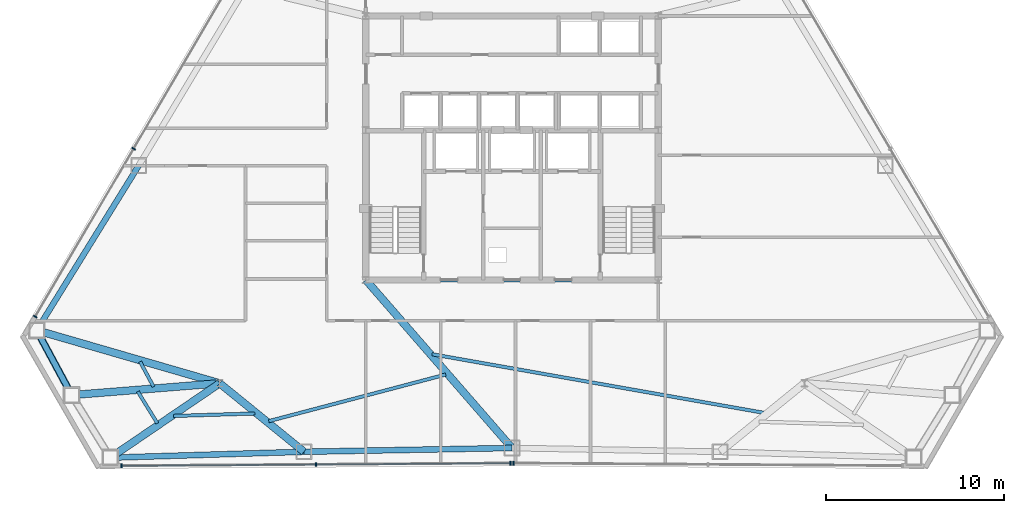
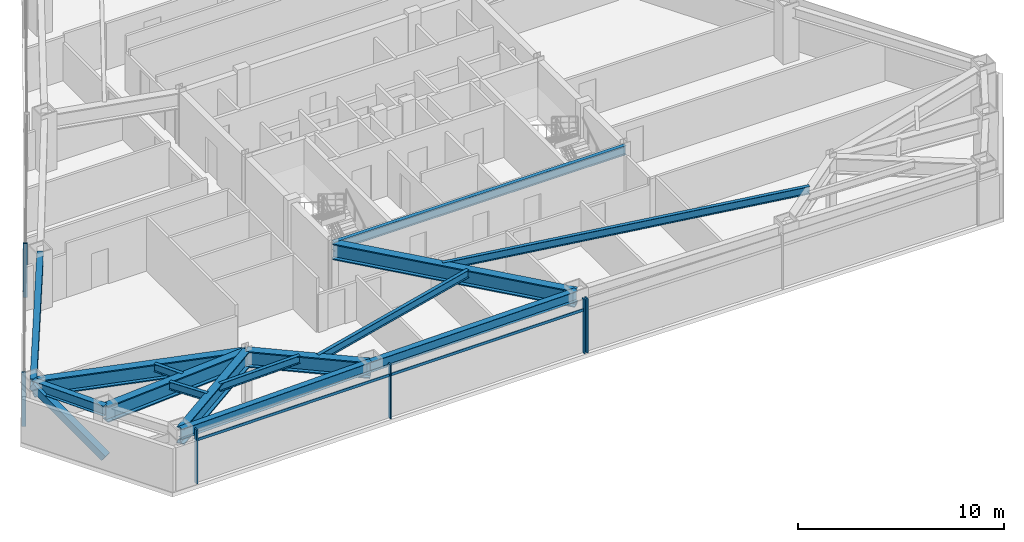
# One storey, part 4 of 12: 15 beams, 8 members, 3 elements without a shape of their own.
"""IFC4 building model written with IfcOpenShell, lengths in metres."""

import ifcopenshell
import ifcopenshell.guid

model = None  # the IFC model being written
_history = None  # IfcOwnerHistory: only IFC2X3 demands one
_inside = {}  # id of a spatial element -> (the spatial element, [elements in it])
_under = {}  # id of a project, library or spatial element -> (it, [spatial elements below it])
_declared = {}  # id of a project -> (the project, [libraries it declares])
_typed = {}  # id of a type object -> (the type object, [elements of that type])
_made_of = {}  # id of a material, layer set ... -> (it, [elements and type objects made of it])


def new_model(schema):
    """Start an empty IFC model of exactly this schema.

    Asked for "IFC4X3", IfcOpenShell would pick the latest addendum, in which some entities
    have other attributes; the version numbers below select the first issue.
    IFC2X3 requires an IfcOwnerHistory on every rooted entity: one is made here for all.
    """
    global model, _history
    if schema == "IFC4X3":
        model = ifcopenshell.file(schema_version=(4, 3, 0, 0))
    else:
        model = ifcopenshell.file(schema=schema)
    _inside.clear()
    _under.clear()
    _declared.clear()
    _typed.clear()
    _made_of.clear()
    _history = None
    if model.schema == "IFC2X3":
        org = make("IfcOrganization", Name="unknown")
        user = make(
            "IfcPersonAndOrganization",
            ThePerson=make("IfcPerson", FamilyName="unknown"),
            TheOrganization=org,
        )
        app = make(
            "IfcApplication",
            ApplicationDeveloper=org,
            Version="unknown",
            ApplicationFullName="unknown",
            ApplicationIdentifier="unknown",
        )
        _history = make(
            "IfcOwnerHistory",
            OwningUser=user,
            OwningApplication=app,
            ChangeAction="ADDED",
            CreationDate=0,
        )
    return model


def make(cls, **values):
    """One entity of the class cls with the attributes given. An attribute that is None is left unset."""
    return model.create_entity(
        cls, **{name: value for name, value in values.items() if value is not None}
    )


def rooted(cls, **values):
    """An entity with a GlobalId (a new one), such as an element, a storey or a relation."""
    return make(cls, GlobalId=ifcopenshell.guid.new(), OwnerHistory=_history, **values)


def si_unit(unit_type, name, prefix=None):
    """IfcSIUnit, for example si_unit("LENGTHUNIT", "METRE", prefix="MILLI")."""
    return make("IfcSIUnit", UnitType=unit_type, Prefix=prefix, Name=name)


def assignment(units):
    """IfcUnitAssignment: the units of a project."""
    return None if units is None else make("IfcUnitAssignment", Units=units)


def point(xyz):
    """IfcCartesianPoint."""
    return None if xyz is None else make("IfcCartesianPoint", Coordinates=xyz)


def direction(xyz):
    """IfcDirection."""
    return None if xyz is None else make("IfcDirection", DirectionRatios=xyz)


def frame(location, z_axis=None, x_axis=None):
    """IfcAxis2Placement3D, a coordinate frame: its origin and axes. An axis left out is left unset."""
    return make(
        "IfcAxis2Placement3D",
        Location=point(location),
        Axis=direction(z_axis),
        RefDirection=direction(x_axis),
    )


def frame_2d(location, x_axis=None):
    """IfcAxis2Placement2D, a coordinate frame in the plane: its origin and x axis."""
    return make(
        "IfcAxis2Placement2D", Location=point(location), RefDirection=direction(x_axis)
    )


def origin():
    """The frame at (0, 0, 0) with its axes left unset."""
    return frame((0.0, 0.0, 0.0))


def origin_2d():
    """The frame at (0, 0) in the plane with its x axis left unset."""
    return frame_2d((0.0, 0.0))


def place(relative_to, where):
    """IfcLocalPlacement: puts the frame where relative to a parent placement (None: the world)."""
    return make(
        "IfcLocalPlacement", PlacementRelTo=relative_to, RelativePlacement=where
    )


def context(
    kind, dimensions, precision=None, world=None, true_north=None, identifier=None
):
    """IfcGeometricRepresentationContext, for example the 3D "Model" context."""
    return make(
        "IfcGeometricRepresentationContext",
        ContextIdentifier=identifier,
        ContextType=kind,
        CoordinateSpaceDimension=dimensions,
        Precision=precision,
        WorldCoordinateSystem=world,
        TrueNorth=true_north,
    )


def subcontext(parent, identifier, kind, view, scale=None):
    """IfcGeometricRepresentationSubContext, for example "Body" below "Model"."""
    return make(
        "IfcGeometricRepresentationSubContext",
        ContextIdentifier=identifier,
        ContextType=kind,
        ParentContext=parent,
        TargetScale=scale,
        TargetView=view,
    )


def project(units=None, contexts=None):
    """IfcProject with its units and contexts."""
    return rooted(
        "IfcProject",
        Name="project",
        RepresentationContexts=contexts,
        UnitsInContext=assignment(units),
    )


def spatial(cls, under=None, at=None, **own):
    """A site, building, storey or space (cls), placed at a placement, below another one or the project."""
    s = rooted(cls, ObjectPlacement=at, **own)
    if under is not None:
        _under.setdefault(under.id(), (under, []))[1].append(s)
    return s


def profile(cls, at=None, kind="AREA", **sizes):
    """A parametric profile (cls). Its sizes go by their IFC names, for example OverallWidth=200.0."""
    return make(cls, ProfileType=kind, Position=at, **sizes)


def rectangle(**sizes):
    """IfcRectangleProfileDef."""
    return profile("IfcRectangleProfileDef", **sizes)


def hollow_rectangle(**sizes):
    """IfcRectangleHollowProfileDef."""
    return profile("IfcRectangleHollowProfileDef", **sizes)


def i_section(**sizes):
    """IfcIShapeProfileDef."""
    return profile("IfcIShapeProfileDef", **sizes)


def extrude(swept, where, along, depth):
    """IfcExtrudedAreaSolid: the profile swept, set in the frame where, extruded along a direction by depth."""
    return make(
        "IfcExtrudedAreaSolid",
        SweptArea=swept,
        Position=where,
        ExtrudedDirection=direction(along),
        Depth=depth,
    )


def shape(context_of_items, identifier, shape_type, items):
    """IfcShapeRepresentation: the items that make up one representation, for example the "Body"."""
    return make(
        "IfcShapeRepresentation",
        ContextOfItems=context_of_items,
        RepresentationIdentifier=identifier,
        RepresentationType=shape_type,
        Items=items,
    )


def source(mapping_origin, context_of_items, identifier, shape_type, items):
    """IfcRepresentationMap: a shape defined once, which mapped items show again and again."""
    return make(
        "IfcRepresentationMap",
        MappingOrigin=mapping_origin,
        MappedRepresentation=shape(context_of_items, identifier, shape_type, items),
    )


def transform(
    local_origin,
    x_axis=None,
    y_axis=None,
    z_axis=None,
    scale=None,
    scale2=None,
    scale3=None,
    uniform=True,
):
    """IfcCartesianTransformationOperator3D, or its non-uniform kind. x_axis, y_axis, z_axis: its Axis1, 2, 3."""
    if uniform:
        return make(
            "IfcCartesianTransformationOperator3D",
            Axis1=direction(x_axis),
            Axis2=direction(y_axis),
            LocalOrigin=point(local_origin),
            Scale=scale,
            Axis3=direction(z_axis),
        )
    return make(
        "IfcCartesianTransformationOperator3DnonUniform",
        Axis1=direction(x_axis),
        Axis2=direction(y_axis),
        LocalOrigin=point(local_origin),
        Scale=scale,
        Axis3=direction(z_axis),
        Scale2=scale2,
        Scale3=scale3,
    )


def mapped(mapping_source, mapping_target):
    """IfcMappedItem: shows the shape of a source again, moved by a transform."""
    return make(
        "IfcMappedItem", MappingSource=mapping_source, MappingTarget=mapping_target
    )


def material(Name=None, Category=None):
    """IfcMaterial."""
    return make("IfcMaterial", Name=Name, Category=Category)


def layer(
    of_material, thickness, ventilated=None, Name=None, Category=None, Priority=None
):
    """IfcMaterialLayer: one layer of a wall or slab, of a material (None: an air gap)."""
    return make(
        "IfcMaterialLayer",
        Material=of_material,
        LayerThickness=thickness,
        IsVentilated=ventilated,
        Name=Name,
        Category=Category,
        Priority=Priority,
    )


def layer_set(layers, Name=None):
    """IfcMaterialLayerSet."""
    return make("IfcMaterialLayerSet", MaterialLayers=layers, LayerSetName=Name)


def material_profile(
    of_material, cross_section, Name=None, Category=None, Priority=None
):
    """IfcMaterialProfile: a cross section and its material."""
    return make(
        "IfcMaterialProfile",
        Name=Name,
        Material=of_material,
        Profile=cross_section,
        Priority=Priority,
        Category=Category,
    )


def profile_set(profiles, Name=None, composite=None):
    """IfcMaterialProfileSet."""
    return make(
        "IfcMaterialProfileSet",
        Name=Name,
        MaterialProfiles=profiles,
        CompositeProfile=composite,
    )


def made_of(thing, what):
    """Note that an element or type object is made of a material, layer set ...; save() writes the relation."""
    if what is not None:
        _made_of.setdefault(what.id(), (what, []))[1].append(thing)
    return thing


def type_object(cls, material=None, **own):
    """A type object (cls), such as IfcWallType, which elements share."""
    return made_of(rooted(cls, **own), material)


def type_shapes(of_type, sources):
    """Give a type object the sources (RepresentationMaps) that its elements show as mapped items."""
    of_type.RepresentationMaps = sources


def element(
    cls,
    number,
    at=None,
    inside=None,
    cuts=None,
    type_object=None,
    material=None,
    context=None,
    identifier="Body",
    shape_type=None,
    held_by="IfcProductDefinitionShape",
    body=None,
    shapes=None,
    **own,
):
    """One element of the class cls, such as IfcWall. Its Tag is "e" and its number.

    at: its placement. inside: the storey or other place that contains it. cuts: it is an
    opening in that element (IfcRelVoidsElement). A single representation is given by context,
    identifier, shape_type and body (its items); several are given by shapes. held_by: the class
    of the entity that holds the representations. save() writes the other relations.
    """
    e = rooted(cls, Tag="e%d" % number, ObjectPlacement=at, **own)
    if body is not None:
        shapes = [shape(context, identifier, shape_type, body)]
    if shapes is not None:
        e.Representation = make(held_by, Representations=shapes)
    if inside is not None:
        _inside.setdefault(inside.id(), (inside, []))[1].append(e)
    if cuts is not None:
        rooted(
            "IfcRelVoidsElement", RelatingBuildingElement=cuts, RelatedOpeningElement=e
        )
    if type_object is not None:
        _typed.setdefault(type_object.id(), (type_object, []))[1].append(e)
    return made_of(e, material)


def aggregate(whole, parts):
    """IfcRelAggregates: a whole, such as a stair, and the parts it consists of."""
    return rooted("IfcRelAggregates", RelatingObject=whole, RelatedObjects=parts)


def save(model, path):
    """Write the relations noted so far, then the file.

    IfcRelAggregates (storeys below a building ...), IfcRelContainedInSpatialStructure (elements
    in a storey), IfcRelDefinesByType, IfcRelAssociatesMaterial and IfcRelDeclares: one each for
    every whole, place, type object, material and project.
    """
    for whole, parts in _under.values():
        aggregate(whole, parts)
    for where, things in _inside.values():
        rooted(
            "IfcRelContainedInSpatialStructure",
            RelatedElements=things,
            RelatingStructure=where,
        )
    for kind, things in _typed.values():
        rooted("IfcRelDefinesByType", RelatedObjects=things, RelatingType=kind)
    for what, things in _made_of.values():
        rooted("IfcRelAssociatesMaterial", RelatedObjects=things, RelatingMaterial=what)
    for by, libraries in _declared.values():
        rooted("IfcRelDeclares", RelatingContext=by, RelatedDefinitions=libraries)
    model.write(path)


model = new_model("IFC4")

# Units and contexts
model_context = context("Model", 3, precision=1e-05, world=origin(), true_north=direction((0.0, 1.0)))
body_context = subcontext(model_context, "Body", "Model", "MODEL_VIEW")
ifc_project = project(units=[si_unit("LENGTHUNIT", "METRE"), si_unit("AREAUNIT", "SQUARE_METRE"), si_unit("VOLUMEUNIT", "CUBIC_METRE"), si_unit("PLANEANGLEUNIT", "RADIAN"), si_unit("MASSUNIT", "GRAM", prefix="KILO")], contexts=[model_context])

# Site, building, storey
site_placement = place(None, origin())
site = spatial("IfcSite", under=ifc_project, at=site_placement, CompositionType="ELEMENT")
building_placement = place(site_placement, origin())
building = spatial("IfcBuilding", under=site, at=building_placement, Name="Varakhsha Concourse Tower", CompositionType="ELEMENT")
storey_placement = place(building_placement, frame((0.0, 0.0, 129.800048828125)))
storey = spatial("IfcBuildingStorey", under=building, at=storey_placement, Name="L37", CompositionType="ELEMENT", Elevation=129.800048828125)

# Beams
ifc_material_1 = material(Name="Structural Steel ASTM A992 Grade 50", Category="steel")
ifc_material_profile_1 = material_profile(ifc_material_1, i_section(OverallWidth=0.19091796875, OverallDepth=0.45703125, WebThickness=0.009033203125, FlangeThickness=0.013916015625, at=origin_2d()), Name="W18X50")
ifc_profile_set_1 = profile_set([ifc_material_profile_1], Name="Structural Steel ASTM A992 Grade 50")
beam_type_1 = type_object("IfcBeamType", Name="BM-JST-W18X50", PredefinedType="JOIST", material=ifc_profile_set_1)
beam_1_placement = place(storey_placement, frame((19.138671875, 11.811279296875, 2.9814453125), z_axis=(0.474291347454, -0.880367944516, 0.0), x_axis=(0.880367944516, 0.474291347454, 0.0)))
element("IfcBeam", 1, at=beam_1_placement, inside=storey, type_object=beam_type_1, Name="BM-TJST-L37-07", PredefinedType="JOIST", context=body_context, shape_type="SweptSolid", body=[
    extrude(i_section(OverallWidth=0.19091796875, OverallDepth=0.45703125, WebThickness=0.009033203125, FlangeThickness=0.013916015625, at=origin_2d()), origin(), (0.0, 0.0, 1.0), 1.59619140625),
])
beam_2_placement = place(storey_placement, frame((19.009521484375, 10.13623046875, 2.9814453125), z_axis=(0.525321381289, -0.850903899604, 0.0), x_axis=(0.850903899604, 0.525321381289, 0.0)))
element("IfcBeam", 2, at=beam_2_placement, inside=storey, type_object=beam_type_1, Name="BM-TJST-L37-08", PredefinedType="JOIST", context=body_context, shape_type="SweptSolid", body=[
    extrude(i_section(OverallWidth=0.19091796875, OverallDepth=0.45703125, WebThickness=0.009033203125, FlangeThickness=0.013916015625, at=origin_2d()), origin(), (0.0, 0.0, 1.0), 2.09130859375),
])
beam_3_placement = place(storey_placement, frame((21.01171875, 8.76708984375, 2.9814453125), z_axis=(0.999532992697, 0.030558084212, 0.0), x_axis=(-0.030558084212, 0.999532992697, 0.0)))
element("IfcBeam", 3, at=beam_3_placement, inside=storey, type_object=beam_type_1, Name="BM-TJST-L37-09", PredefinedType="JOIST", context=body_context, shape_type="SweptSolid", body=[
    extrude(i_section(OverallWidth=0.19091796875, OverallDepth=0.45703125, WebThickness=0.009033203125, FlangeThickness=0.013916015625, at=origin_2d()), origin(), (0.0, 0.0, 1.0), 4.56201171875),
])
beam_4_placement = place(storey_placement, frame((26.35546875, 8.47705078125, 2.9814453125), z_axis=(0.967049278612, 0.254589262806, 0.0), x_axis=(-0.254589262806, 0.967049278612, 0.0)))
element("IfcBeam", 4, at=beam_4_placement, inside=storey, type_object=beam_type_1, Name="BM-TJST-L37-10", PredefinedType="JOIST", context=body_context, shape_type="SweptSolid", body=[
    extrude(i_section(OverallWidth=0.19091796875, OverallDepth=0.45703125, WebThickness=0.009033203125, FlangeThickness=0.013916015625, at=origin_2d()), origin(), (0.0, 0.0, 1.0), 10.2685546875),
])
beam_5_placement = place(storey_placement, frame((35.516357421875, 12.231689453125, 2.9814453125), z_axis=(0.984751303564, -0.17396801467, 0.0), x_axis=(0.17396801467, 0.984751303564, 0.0)))
element("IfcBeam", 5, at=beam_5_placement, inside=storey, type_object=beam_type_1, Name="BM-TJST-L37-11", PredefinedType="JOIST", context=body_context, shape_type="SweptSolid", body=[
    extrude(i_section(OverallWidth=0.19091796875, OverallDepth=0.45703125, WebThickness=0.009033203125, FlangeThickness=0.013916015625, at=origin_2d()), origin(), (0.0, 0.0, 1.0), 18.9833984375),
])
ifc_material_profile_2 = material_profile(ifc_material_1, i_section(OverallWidth=0.423095703125, OverallDepth=0.947998046875, WebThickness=0.0380859375, FlangeThickness=0.06396484375, at=origin_2d()), Name="W36X302")
ifc_profile_set_2 = profile_set([ifc_material_profile_2], Name="Structural Steel ASTM A992 Grade 50")
beam_type_2 = type_object("IfcBeamType", Name="BM-OUTR-W36X302", PredefinedType="USERDEFINED", material=ifc_profile_set_2)
beam_6_placement = place(storey_placement, frame((23.60009765625, 10.60009765625, 2.73583984375), z_axis=(-0.960479386688, 0.27835112313, 0.0), x_axis=(-0.27835112313, -0.960479386688, 0.0)))
element("IfcBeam", 6, at=beam_6_placement, inside=storey, type_object=beam_type_2, Name="L37 Radial Floor Girder 07", ObjectType="GIRDER", PredefinedType="USERDEFINED", context=body_context, shape_type="SweptSolid", body=[
    extrude(i_section(OverallWidth=0.423095703125, OverallDepth=0.947998046875, WebThickness=0.0380859375, FlangeThickness=0.06396484375, at=origin_2d()), origin(), (0.0, 0.0, 1.0), 10.680419921875),
])
beam_7_placement = place(storey_placement, frame((23.60009765625, 10.60009765625, 2.73583984375), z_axis=(-0.996845319741, -0.079368813216, 0.0), x_axis=(0.079368813216, -0.996845319741, 0.0)))
element("IfcBeam", 7, at=beam_7_placement, inside=storey, type_object=beam_type_2, Name="L37 Radial Floor Girder 08", ObjectType="GIRDER", PredefinedType="USERDEFINED", context=body_context, shape_type="SweptSolid", body=[
    extrude(i_section(OverallWidth=0.423095703125, OverallDepth=0.947998046875, WebThickness=0.0380859375, FlangeThickness=0.06396484375, at=origin_2d()), origin(), (0.0, 0.0, 1.0), 8.326904296875),
])
beam_8_placement = place(storey_placement, frame((23.60009765625, 10.60009765625, 2.73583984375), z_axis=(-0.826715856681, -0.562619669325, 0.0), x_axis=(0.562619669325, -0.826715856681, 0.0)))
element("IfcBeam", 8, at=beam_8_placement, inside=storey, type_object=beam_type_2, Name="L37 Radial Floor Girder 09", ObjectType="GIRDER", PredefinedType="USERDEFINED", context=body_context, shape_type="SweptSolid", body=[
    extrude(i_section(OverallWidth=0.423095703125, OverallDepth=0.947998046875, WebThickness=0.0380859375, FlangeThickness=0.06396484375, at=origin_2d()), origin(), (0.0, 0.0, 1.0), 7.417724609375),
])
beam_9_placement = place(storey_placement, frame((23.60009765625, 10.60009765625, 2.73583984375), z_axis=(0.776310048097, -0.630351258604, 0.0), x_axis=(0.630351258604, 0.776310048097, 0.0)))
element("IfcBeam", 9, at=beam_9_placement, inside=storey, type_object=beam_type_2, Name="L37 Radial Floor Girder 10", ObjectType="GIRDER", PredefinedType="USERDEFINED", context=body_context, shape_type="SweptSolid", body=[
    extrude(i_section(OverallWidth=0.423095703125, OverallDepth=0.947998046875, WebThickness=0.0380859375, FlangeThickness=0.06396484375, at=origin_2d()), origin(), (0.0, 0.0, 1.0), 6.093505859375),
])
beam_10_placement = place(storey_placement, frame((31.800048828125, 16.39990234375, 2.73583984375), z_axis=(0.656188872418, -0.754596689441, 0.0), x_axis=(0.754596689441, 0.656188872418, 0.0)))
element("IfcBeam", 10, at=beam_10_placement, inside=storey, type_object=beam_type_2, Name="L37 Radial Floor Girder 11", ObjectType="GIRDER", PredefinedType="USERDEFINED", context=body_context, shape_type="SweptSolid", body=[
    extrude(i_section(OverallWidth=0.423095703125, OverallDepth=0.947998046875, WebThickness=0.0380859375, FlangeThickness=0.06396484375, at=origin_2d()), origin(), (0.0, 0.0, 1.0), 12.496337890625),
])
ifc_material_profile_3 = material_profile(ifc_material_1, i_section(OverallWidth=0.2109375, OverallDepth=0.5390625, WebThickness=0.011962890625, FlangeThickness=0.01904296875, at=origin_2d()), Name="W21X73")
ifc_profile_set_3 = profile_set([ifc_material_profile_3], Name="Structural Steel ASTM A992 Grade 50")
beam_type_3 = type_object("IfcBeamType", Name="BM-RAD-W21X73", PredefinedType="BEAM", material=ifc_profile_set_3)
beam_11_placement = place(storey_placement, frame((31.800048828125, 16.39990234375, 2.9404296875), z_axis=(1.0, 0.0, 0.0), x_axis=(0.0, 1.0, 0.0)))
element("IfcBeam", 11, at=beam_11_placement, inside=storey, type_object=beam_type_3, Name="BM-TCORE-L37-CS", PredefinedType="BEAM", context=body_context, shape_type="SweptSolid", body=[
    extrude(i_section(OverallWidth=0.2109375, OverallDepth=0.5390625, WebThickness=0.011962890625, FlangeThickness=0.01904296875, at=origin_2d()), origin(), (0.0, 0.0, 1.0), 16.39990234375),
])
ifc_material_profile_4 = material_profile(ifc_material_1, i_section(OverallWidth=0.323974609375, OverallDepth=0.611083984375, WebThickness=0.012939453125, FlangeThickness=0.01904296875, at=origin_2d()), Name="W24X104")
ifc_profile_set_4 = profile_set([ifc_material_profile_4], Name="Structural Steel ASTM A992 Grade 50")
beam_type_4 = type_object("IfcBeamType", Name="BM-SPAN-W24X104", PredefinedType="SPANDREL", material=ifc_profile_set_4)
beam_12_placement = place(storey_placement, frame((19.06103515625, 22.814453125, 2.904541015625), z_axis=(-0.526244020502, -0.850333599763, 0.0), x_axis=(0.850333599763, -0.526244020502, 0.0)))
element("IfcBeam", 12, at=beam_12_placement, inside=storey, type_object=beam_type_4, Name="BM-SPAN-L37-06", PredefinedType="SPANDREL", context=body_context, shape_type="SweptSolid", body=[
    extrude(i_section(OverallWidth=0.323974609375, OverallDepth=0.611083984375, WebThickness=0.012939453125, FlangeThickness=0.01904296875, at=origin_2d()), origin(), (0.0, 0.0, 1.0), 10.867919921875),
])
beam_13_placement = place(storey_placement, frame((13.341796875, 13.572998046875, 2.904541015625), z_axis=(0.474307913121, -0.880359019691, 0.0), x_axis=(0.880359019691, 0.474307913121, 0.0)))
element("IfcBeam", 13, at=beam_13_placement, inside=storey, type_object=beam_type_4, Name="BM-SPAN-L37-07", PredefinedType="SPANDREL", context=body_context, shape_type="SweptSolid", body=[
    extrude(i_section(OverallWidth=0.323974609375, OverallDepth=0.611083984375, WebThickness=0.012939453125, FlangeThickness=0.01904296875, at=origin_2d()), origin(), (0.0, 0.0, 1.0), 4.127685546875),
])
beam_14_placement = place(storey_placement, frame((17.4677734375, 6.4267578125, 2.904541015625), z_axis=(0.999532503113, 0.030574093962, 0.0), x_axis=(-0.030574093962, 0.999532503113, 0.0)))
element("IfcBeam", 14, at=beam_14_placement, inside=storey, type_object=beam_type_4, Name="BM-SPAN-L37-09", PredefinedType="SPANDREL", context=body_context, shape_type="SweptSolid", body=[
    extrude(i_section(OverallWidth=0.323974609375, OverallDepth=0.611083984375, WebThickness=0.012939453125, FlangeThickness=0.01904296875, at=origin_2d()), origin(), (0.0, 0.0, 1.0), 10.867919921875),
])
beam_15_placement = place(storey_placement, frame((28.33056640625, 6.759033203125, 2.904541015625), z_axis=(0.99983628966, 0.018094028841, 0.0), x_axis=(-0.018094028841, 0.99983628966, 0.0)))
element("IfcBeam", 15, at=beam_15_placement, inside=storey, type_object=beam_type_4, Name="BM-SPAN-L37-10", PredefinedType="SPANDREL", context=body_context, shape_type="SweptSolid", body=[
    extrude(i_section(OverallWidth=0.323974609375, OverallDepth=0.611083984375, WebThickness=0.012939453125, FlangeThickness=0.01904296875, at=origin_2d()), origin(), (0.0, 0.0, 1.0), 11.67138671875),
])

# Member
ifc_material_2 = material(Name="Structural Steel ASTM A500 Grade C", Category="steel")
ifc_material_profile_5 = material_profile(ifc_material_2, hollow_rectangle(XDim=0.39990234375, YDim=0.39990234375, WallThickness=0.01611328125, at=origin_2d()), Name="HSS 400x400x16")
ifc_profile_set_5 = profile_set([ifc_material_profile_5], Name="Structural Steel ASTM A500 Grade C")
member_type_1 = type_object("IfcMemberType", Name="MB-TUBE-HSS400", PredefinedType="BRACE", material=ifc_profile_set_5)
shared_shape_1 = source(origin(), body_context, "Body", "SweptSolid", [
    extrude(hollow_rectangle(XDim=0.39990234375, YDim=0.39990234375, WallThickness=0.01611328125, at=origin_2d()), origin(), (0.0, 0.0, 1.0), 4.982177734375),
])
type_shapes(member_type_1, [shared_shape_1])
member_1_placement = place(storey_placement, frame((15.299560546875, 9.939208984375, 0.119873046875), z_axis=(-0.392957478485, 0.729365146498, 0.560009734895), x_axis=(-0.880359019691, -0.474307913121, 0.0)))
element("IfcMember", 16, at=member_1_placement, inside=storey, type_object=member_type_1, Name="L37 Wind-Corner Tube Brace B03", PredefinedType="BRACE", context=body_context, shape_type="MappedRepresentation", body=[
    mapped(shared_shape_1, transform((0.0, 0.0, 0.0), scale=1.0)),
])

# Curtain wall, members
ifc_material_3 = material(Name="Anodised Bronze Architectural Aluminium AA 6063-T6", Category="aluminium")
ifc_layer = layer(ifc_material_3, 0.2099609375, Name="CW-SYS-04")
ifc_layer_set = layer_set([ifc_layer], Name="Anodised Bronze Architectural Aluminium AA 6063-T6")
curtain_wall_type = type_object("IfcCurtainWallType", Name="CW-SYS-04", PredefinedType="NOTDEFINED", material=ifc_layer_set)
curtain_wall_1_placement = place(storey_placement, origin())
curtain_wall_1 = element("IfcCurtainWall", 17, at=curtain_wall_1_placement, inside=storey, type_object=curtain_wall_type, Name="L37 Crystal Curtain Wall F3", PredefinedType="NOTDEFINED")
ifc_material_profile_6 = material_profile(ifc_material_3, rectangle(XDim=0.074951171875, YDim=0.219970703125, at=origin_2d()), Name="CWM-220X75")
ifc_profile_set_6 = profile_set([ifc_material_profile_6], Name="Anodised Bronze Architectural Aluminium AA 6063-T6")
member_type_2 = type_object("IfcMemberType", Name="CWM-220X75", PredefinedType="MULLION", material=ifc_profile_set_6)
shared_shape_2 = source(origin(), body_context, "Body", "SweptSolid", [
    extrude(rectangle(XDim=0.074951171875, YDim=0.219970703125, at=origin_2d()), origin(), (0.0, 0.0, 1.0), 3.2099609375),
])
type_shapes(member_type_2, [shared_shape_2])
member_2_placement = place(storey_placement, frame((13.258056640625, 14.34228515625, 0.0), z_axis=(0.0, 0.0, 1.0), x_axis=(0.505862141887, 0.862614336424, 0.0)))
member_2 = element("IfcMember", 18, at=member_2_placement, type_object=member_type_2, Name="CW-L37-F3 Mullion 00", PredefinedType="MULLION", context=body_context, shape_type="MappedRepresentation", body=[
    mapped(shared_shape_2, transform((0.0, 0.0, 0.0), scale=1.0)),
])
member_3_placement = place(storey_placement, frame((18.77880859375, 23.756591796875, 0.0), z_axis=(0.0, 0.0, 1.0), x_axis=(0.505862141887, 0.862614336424, 0.0)))
member_3 = element("IfcMember", 19, at=member_3_placement, type_object=member_type_2, Name="CW-L37-F3 Mullion 01", PredefinedType="MULLION", context=body_context, shape_type="MappedRepresentation", body=[
    mapped(shared_shape_2, transform((0.0, 0.0, 0.0), scale=1.0)),
])
aggregate(curtain_wall_1, [member_2, member_3])

curtain_wall_2_placement = place(storey_placement, origin())
curtain_wall_2 = element("IfcCurtainWall", 20, at=curtain_wall_2_placement, inside=storey, type_object=curtain_wall_type, Name="L37 Crystal Curtain Wall F5", PredefinedType="NOTDEFINED")
member_4_placement = place(storey_placement, frame((39.9189453125, 6.11767578125, 0.0), z_axis=(0.0, 0.0, 1.0), x_axis=(-0.999976976275, -0.006785788053, 0.0)))
member_4 = element("IfcMember", 21, at=member_4_placement, type_object=member_type_2, Name="CW-L37-F5 Mullion 00", PredefinedType="MULLION", context=body_context, shape_type="MappedRepresentation", body=[
    mapped(shared_shape_2, transform((0.0, 0.0, 0.0), scale=1.0)),
])
member_5_placement = place(storey_placement, frame((29.005615234375, 6.043701171875, 0.0), z_axis=(0.0, 0.0, 1.0), x_axis=(-0.999976976275, -0.006785788053, 0.0)))
member_5 = element("IfcMember", 22, at=member_5_placement, type_object=member_type_2, Name="CW-L37-F5 Mullion 01", PredefinedType="MULLION", context=body_context, shape_type="MappedRepresentation", body=[
    mapped(shared_shape_2, transform((0.0, 0.0, 0.0), scale=1.0)),
])
member_6_placement = place(storey_placement, frame((18.092041015625, 5.969482421875, 0.0), z_axis=(0.0, 0.0, 1.0), x_axis=(-0.999976976275, -0.006785788053, 0.0)))
member_6 = element("IfcMember", 23, at=member_6_placement, type_object=member_type_2, Name="CW-L37-F5 Mullion 02", PredefinedType="MULLION", context=body_context, shape_type="MappedRepresentation", body=[
    mapped(shared_shape_2, transform((0.0, 0.0, 0.0), scale=1.0)),
])

# Curtain wall, member
curtain_wall_3_placement = place(storey_placement, origin())
curtain_wall_3 = element("IfcCurtainWall", 24, at=curtain_wall_3_placement, inside=storey, type_object=curtain_wall_type, Name="L37 Crystal Curtain Wall F6", PredefinedType="NOTDEFINED")
member_7_placement = place(storey_placement, frame((40.0810546875, 6.11767578125, 0.0), z_axis=(0.0, 0.0, 1.0), x_axis=(-0.999976976275, 0.006785788053, 0.0)))
member_7 = element("IfcMember", 25, at=member_7_placement, type_object=member_type_2, Name="CW-L37-F6 Mullion 02", PredefinedType="MULLION", context=body_context, shape_type="MappedRepresentation", body=[
    mapped(shared_shape_2, transform((0.0, 0.0, 0.0), scale=1.0)),
])
aggregate(curtain_wall_3, [member_7])

# Member
ifc_material_profile_7 = material_profile(ifc_material_3, rectangle(XDim=0.06494140625, YDim=0.159912109375, at=origin_2d()), Name="CWT-160X65")
ifc_profile_set_7 = profile_set([ifc_material_profile_7], Name="Anodised Bronze Architectural Aluminium AA 6063-T6")
member_type_3 = type_object("IfcMemberType", Name="CWT-160X65", PredefinedType="USERDEFINED", material=ifc_profile_set_7)
shared_shape_3 = source(origin(), body_context, "Body", "SweptSolid", [
    extrude(rectangle(XDim=0.06494140625, YDim=0.159912109375, at=origin_2d()), origin(), (0.0, 0.0, 1.0), 21.827392578125),
])
type_shapes(member_type_3, [shared_shape_3])
member_8_placement = place(storey_placement, frame((39.9189453125, 6.11767578125, 2.56005859375), z_axis=(-0.999976952268, -0.006789324855, 0.0), x_axis=(0.006789324855, -0.999976952268, 0.0)))
member_8 = element("IfcMember", 26, at=member_8_placement, type_object=member_type_3, Name="CW-L37-F5 Transom 01", ObjectType="TRANSOM", PredefinedType="USERDEFINED", context=body_context, shape_type="MappedRepresentation", body=[
    mapped(shared_shape_3, transform((0.0, 0.0, 0.0), scale=1.0)),
])

aggregate(curtain_wall_2, [member_4, member_5, member_6, member_8])

save(model, "model.ifc")
